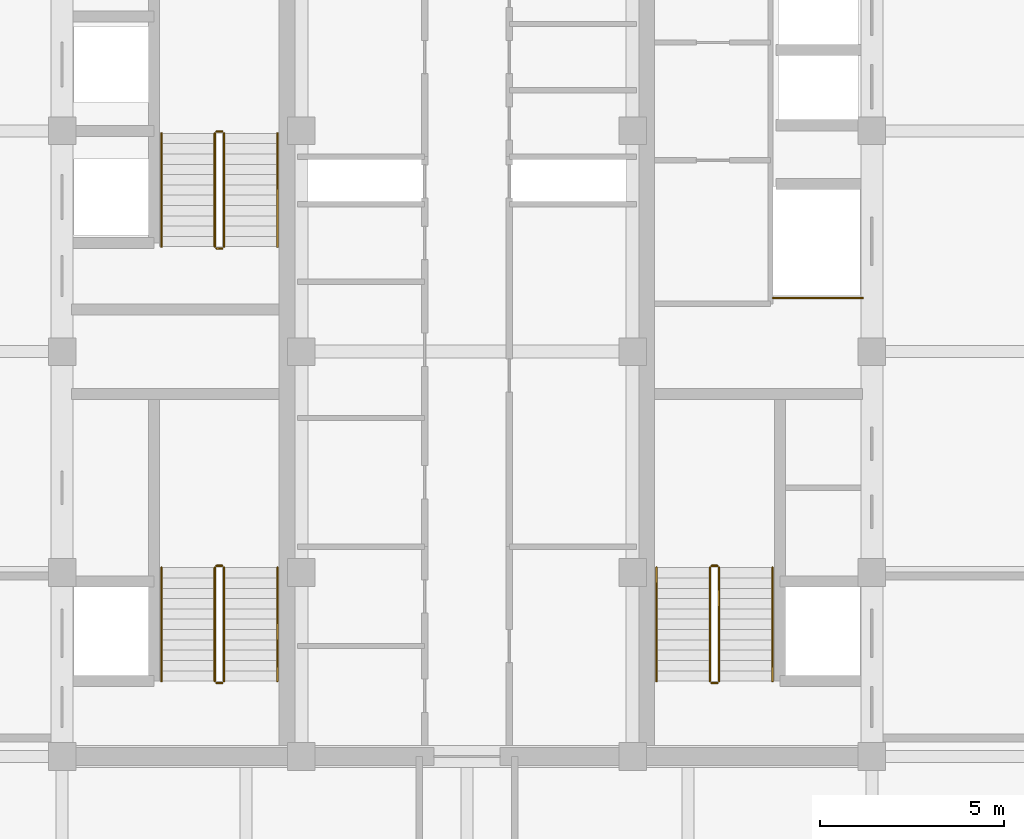
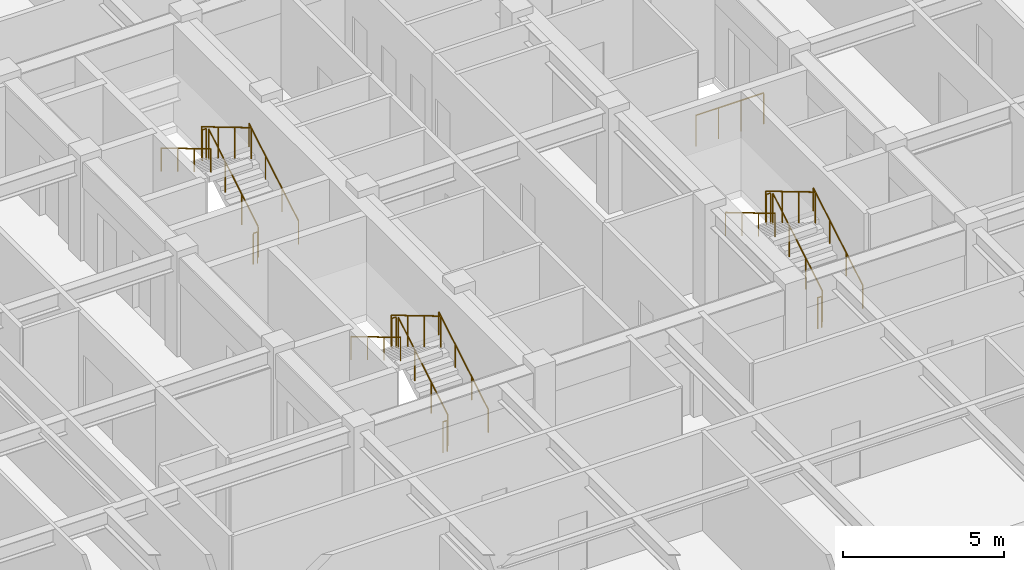
# One storey, part 28 of 28: 19 railings.
"""IFC4 building model written with IfcOpenShell, lengths in metres."""

from ifc_helpers import new_model, si_unit, direction, frame, origin, origin_2d, place, context, subcontext, project, spatial, circle, extrude, source, transform, mapped, material, type_object, element, save


model = new_model("IFC4")

# Units and contexts
model_context = context("Model", 3, precision=1e-05, world=origin(), true_north=direction((0.0, 1.0)))
body_context = subcontext(model_context, "Body", "Model", "MODEL_VIEW")
ifc_project = project(units=[si_unit("LENGTHUNIT", "METRE"), si_unit("AREAUNIT", "SQUARE_METRE"), si_unit("VOLUMEUNIT", "CUBIC_METRE"), si_unit("PLANEANGLEUNIT", "RADIAN"), si_unit("MASSUNIT", "GRAM", prefix="KILO")], contexts=[model_context])

# Site, building, storey
site_placement = place(None, origin())
site = spatial("IfcSite", under=ifc_project, at=site_placement, CompositionType="ELEMENT")
building_placement = place(site_placement, origin())
building = spatial("IfcBuilding", under=site, at=building_placement, Name="Khorayat Bourse Tower", CompositionType="ELEMENT")
storey_placement = place(building_placement, frame((0.0, 0.0, 334.300048828125)))
storey = spatial("IfcBuildingStorey", under=building, at=storey_placement, Name="L79", CompositionType="ELEMENT", Elevation=334.300048828125)

# Railings
ifc_material_1 = material(Name="Powder-coated steel balustrade", Category="steel")
railing_type_1 = type_object("IfcRailingType", Name="RLG-GUARD-1200", PredefinedType="GUARDRAIL", material=ifc_material_1)
shared_shape_1 = source(origin(), body_context, "Body", "SweptSolid", [
    extrude(circle(Radius=0.02392578125, at=origin_2d()), frame((0.0, 0.0, 1.17578125), z_axis=(-1.0, 0.0, 0.0), x_axis=(0.0, -1.0, 0.0)), (0.0, 0.0, 1.0), 0.150146484375),
    extrude(circle(Radius=0.02099609375, at=origin_2d()), origin(), (0.0, 0.0, 1.0), 1.15185546875),
    extrude(circle(Radius=0.02099609375, at=origin_2d()), frame((-0.150146484375, 0.0, 0.0)), (0.0, 0.0, 1.0), 1.15185546875),
])
for number, where, name in (
    (1, (-6.64990234375, -5.820068359375, 2.0), "L79 ST-1 stair guard 2"),
    (2, (-6.64990234375, -9.0, 0.0), "L79 ST-1 stair guard 4"),
    (3, (-6.64990234375, 5.97998046875, 2.0), "L79 ST-2 stair guard 2"),
    (4, (-6.64990234375, 2.800048828125, 0.0), "L79 ST-2 stair guard 4"),
    (5, (6.800048828125, -5.820068359375, 2.0), "L79 ST-3 stair guard 2"),
    (6, (6.800048828125, -9.0, 0.0), "L79 ST-3 stair guard 4"),
):
    element("IfcRailing", number, at=place(storey_placement, frame(where)), inside=storey, type_object=railing_type_1, Name=name, PredefinedType="GUARDRAIL", context=body_context, shape_type="MappedRepresentation", body=[
        mapped(shared_shape_1, transform((0.0, 0.0, 0.0), scale=1.0)),
    ])
shared_shape_2 = source(origin(), body_context, "Body", "SweptSolid", [
    extrude(circle(Radius=0.02392578125, at=origin_2d()), frame((0.0, 0.0, 1.17578125), z_axis=(0.0, 0.859260807169, 0.511537745687), x_axis=(-1.0, 0.0, 0.0)), (0.0, 0.0, 1.0), 3.584228515625),
    extrude(circle(Radius=0.02099609375, at=origin_2d()), origin(), (0.0, 0.0, 1.0), 1.15185546875),
    extrude(circle(Radius=0.02099609375, at=origin_2d()), frame((0.0, 1.026611328125, 0.611083984375)), (0.0, 0.0, 1.0), 1.15185546875),
    extrude(circle(Radius=0.02099609375, at=origin_2d()), frame((0.0, 2.05322265625, 1.222412109375)), (0.0, 0.0, 1.0), 1.15185546875),
    extrude(circle(Radius=0.02099609375, at=origin_2d()), frame((0.0, 3.079833984375, 1.83349609375)), (0.0, 0.0, 1.0), 1.15185546875),
])
for number, where, name in (
    (7, (-6.60009765625, -8.949951171875, 0.16650390625), "L79 ST-1 stair guard 1"),
    (8, (-6.60009765625, 2.85009765625, 0.16650390625), "L79 ST-2 stair guard 1"),
    (9, (6.85009765625, -8.949951171875, 0.16650390625), "L79 ST-3 stair guard 1"),
):
    element("IfcRailing", number, at=place(storey_placement, frame(where)), inside=storey, type_object=railing_type_1, Name=name, PredefinedType="GUARDRAIL", context=body_context, shape_type="MappedRepresentation", body=[
        mapped(shared_shape_2, transform((0.0, 0.0, 0.0), scale=1.0)),
    ])
shared_shape_3 = source(origin(), body_context, "Body", "SweptSolid", [
    extrude(circle(Radius=0.02392578125, at=origin_2d()), frame((0.0, 0.0, 1.17578125), z_axis=(0.0, -0.859260807169, 0.511537745687), x_axis=(1.0, 0.0, 0.0)), (0.0, 0.0, 1.0), 3.584228515625),
    extrude(circle(Radius=0.02099609375, at=origin_2d()), origin(), (0.0, 0.0, 1.0), 1.15185546875),
    extrude(circle(Radius=0.02099609375, at=origin_2d()), frame((0.0, -1.026611328125, 0.611083984375)), (0.0, 0.0, 1.0), 1.15185546875),
    extrude(circle(Radius=0.02099609375, at=origin_2d()), frame((0.0, -2.05322265625, 1.222412109375)), (0.0, 0.0, 1.0), 1.15185546875),
    extrude(circle(Radius=0.02099609375, at=origin_2d()), frame((0.0, -3.079833984375, 1.83349609375)), (0.0, 0.0, 1.0), 1.15185546875),
])
for number, where, name in (
    (10, (-6.85009765625, -5.8701171875, 2.16650390625), "L79 ST-1 stair guard 3"),
    (11, (-6.85009765625, 5.929931640625, 2.16650390625), "L79 ST-2 stair guard 3"),
    (12, (6.60009765625, -5.8701171875, 2.16650390625), "L79 ST-3 stair guard 3"),
):
    element("IfcRailing", number, at=place(storey_placement, frame(where)), inside=storey, type_object=railing_type_1, Name=name, PredefinedType="GUARDRAIL", context=body_context, shape_type="MappedRepresentation", body=[
        mapped(shared_shape_3, transform((0.0, 0.0, 0.0), scale=1.0)),
    ])
ifc_material_2 = material(Name="Brushed bronze stainless-steel handrail", Category="steel")
railing_type_2 = type_object("IfcRailingType", Name="RLG-HAND-900", PredefinedType="HANDRAIL", material=ifc_material_2)
shared_shape_4 = source(origin(), body_context, "Body", "SweptSolid", [
    extrude(circle(Radius=0.02392578125, at=origin_2d()), frame((0.0, 0.0, 0.8759765625), z_axis=(0.0, 0.859260807169, 0.511537745687), x_axis=(-1.0, 0.0, 0.0)), (0.0, 0.0, 1.0), 3.584228515625),
    extrude(circle(Radius=0.02099609375, at=origin_2d()), origin(), (0.0, 0.0, 1.0), 0.851806640625),
    extrude(circle(Radius=0.02099609375, at=origin_2d()), frame((0.0, 1.026611328125, 0.611083984375)), (0.0, 0.0, 1.0), 0.851806640625),
    extrude(circle(Radius=0.02099609375, at=origin_2d()), frame((0.0, 2.05322265625, 1.222412109375)), (0.0, 0.0, 1.0), 0.851806640625),
    extrude(circle(Radius=0.02099609375, at=origin_2d()), frame((0.0, 3.079833984375, 1.83349609375)), (0.0, 0.0, 1.0), 0.851806640625),
])
for number, where, name in (
    (13, (-5.14990234375, -8.949951171875, 0.16650390625), "L79 ST-1 stair handrail 1"),
    (14, (-5.14990234375, 2.85009765625, 0.16650390625), "L79 ST-2 stair handrail 1"),
    (15, (8.300048828125, -8.949951171875, 0.16650390625), "L79 ST-3 stair handrail 1"),
):
    element("IfcRailing", number, at=place(storey_placement, frame(where)), inside=storey, type_object=railing_type_2, Name=name, PredefinedType="HANDRAIL", context=body_context, shape_type="MappedRepresentation", body=[
        mapped(shared_shape_4, transform((0.0, 0.0, 0.0), scale=1.0)),
    ])
shared_shape_5 = source(origin(), body_context, "Body", "SweptSolid", [
    extrude(circle(Radius=0.02392578125, at=origin_2d()), frame((0.0, 0.0, 0.8759765625), z_axis=(0.0, -0.859260807169, 0.511537745687), x_axis=(1.0, 0.0, 0.0)), (0.0, 0.0, 1.0), 3.584228515625),
    extrude(circle(Radius=0.02099609375, at=origin_2d()), origin(), (0.0, 0.0, 1.0), 0.851806640625),
    extrude(circle(Radius=0.02099609375, at=origin_2d()), frame((0.0, -1.026611328125, 0.611083984375)), (0.0, 0.0, 1.0), 0.851806640625),
    extrude(circle(Radius=0.02099609375, at=origin_2d()), frame((0.0, -2.05322265625, 1.222412109375)), (0.0, 0.0, 1.0), 0.851806640625),
    extrude(circle(Radius=0.02099609375, at=origin_2d()), frame((0.0, -3.079833984375, 1.83349609375)), (0.0, 0.0, 1.0), 0.851806640625),
])
for number, where, name in (
    (16, (-8.300048828125, -5.8701171875, 2.16650390625), "L79 ST-1 stair handrail 2"),
    (17, (-8.300048828125, 5.929931640625, 2.16650390625), "L79 ST-2 stair handrail 2"),
    (18, (5.14990234375, -5.8701171875, 2.16650390625), "L79 ST-3 stair handrail 2"),
):
    element("IfcRailing", number, at=place(storey_placement, frame(where)), inside=storey, type_object=railing_type_2, Name=name, PredefinedType="HANDRAIL", context=body_context, shape_type="MappedRepresentation", body=[
        mapped(shared_shape_5, transform((0.0, 0.0, 0.0), scale=1.0)),
    ])
shared_shape_6 = source(origin(), body_context, "Body", "SweptSolid", [
    extrude(circle(Radius=0.02392578125, at=origin_2d()), frame((0.0, 0.0, 1.17578125), z_axis=(1.0, 0.0, 0.0), x_axis=(0.0, 1.0, 0.0)), (0.0, 0.0, 1.0), 2.429931640625),
    extrude(circle(Radius=0.02099609375, at=origin_2d()), origin(), (0.0, 0.0, 1.0), 1.15185546875),
    extrude(circle(Radius=0.02099609375, at=origin_2d()), frame((0.81005859375, 0.0, 0.0)), (0.0, 0.0, 1.0), 1.15185546875),
    extrude(circle(Radius=0.02099609375, at=origin_2d()), frame((1.619873046875, 0.0, 0.0)), (0.0, 0.0, 1.0), 1.15185546875),
    extrude(circle(Radius=0.02099609375, at=origin_2d()), frame((2.429931640625, 0.0, 0.0)), (0.0, 0.0, 1.0), 1.15185546875),
])
railing_placement = place(storey_placement, frame((8.320068359375, 1.4599609375, 0.0)))
element("IfcRailing", 19, at=railing_placement, inside=storey, type_object=railing_type_1, Name="L79 Goods Shaft Opening Guardrail", PredefinedType="GUARDRAIL", context=body_context, shape_type="MappedRepresentation", body=[
    mapped(shared_shape_6, transform((0.0, 0.0, 0.0), scale=1.0)),
])

save(model, "model.ifc")
